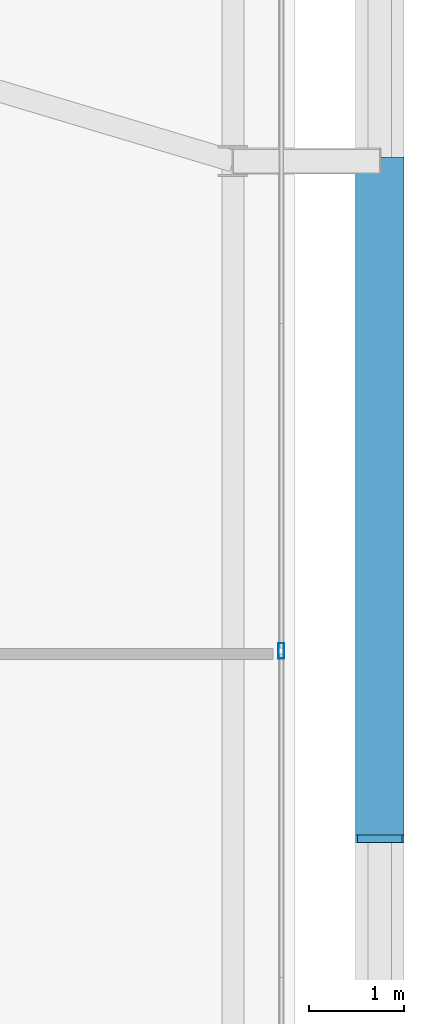
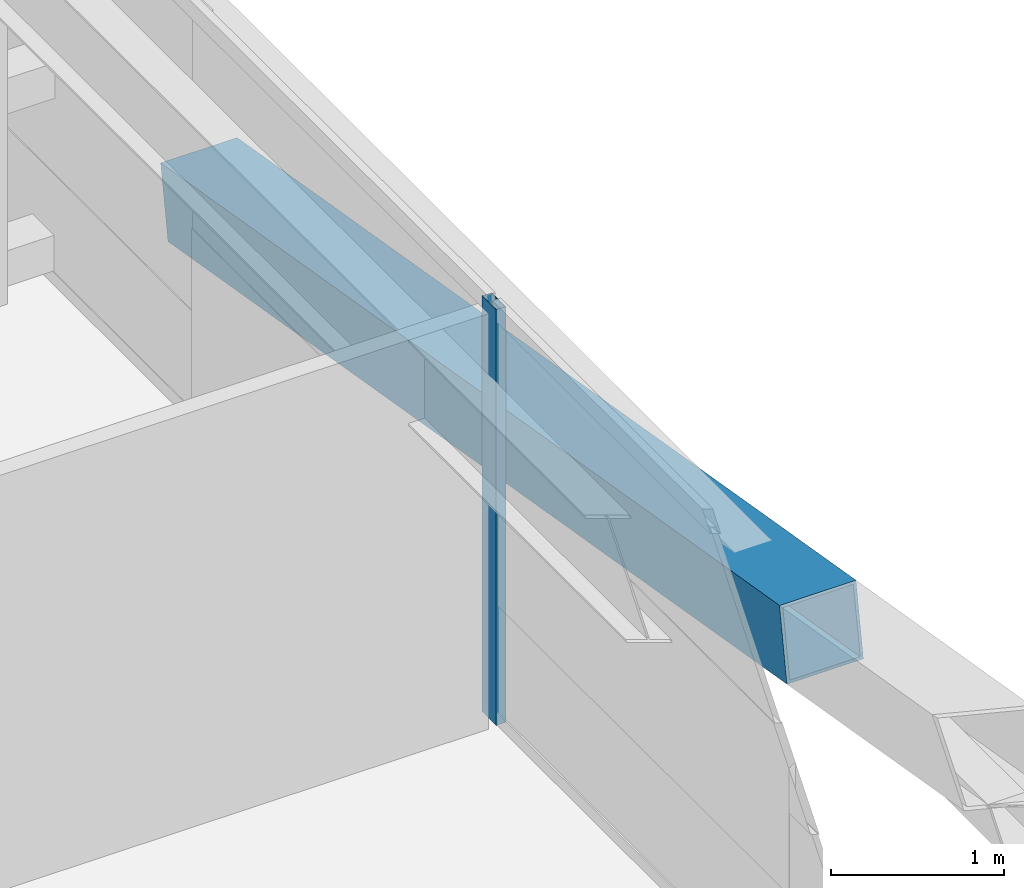
# One storey, part 17 of 44: 2 members, 1 element without a shape of its own.
"""IFC4 building model written with IfcOpenShell, lengths in metres."""

import ifcopenshell
import ifcopenshell.guid

model = None  # the IFC model being written
_history = None  # IfcOwnerHistory: only IFC2X3 demands one
_inside = {}  # id of a spatial element -> (the spatial element, [elements in it])
_under = {}  # id of a project, library or spatial element -> (it, [spatial elements below it])
_declared = {}  # id of a project -> (the project, [libraries it declares])
_typed = {}  # id of a type object -> (the type object, [elements of that type])
_made_of = {}  # id of a material, layer set ... -> (it, [elements and type objects made of it])


def new_model(schema):
    """Start an empty IFC model of exactly this schema.

    Asked for "IFC4X3", IfcOpenShell would pick the latest addendum, in which some entities
    have other attributes; the version numbers below select the first issue.
    IFC2X3 requires an IfcOwnerHistory on every rooted entity: one is made here for all.
    """
    global model, _history
    if schema == "IFC4X3":
        model = ifcopenshell.file(schema_version=(4, 3, 0, 0))
    else:
        model = ifcopenshell.file(schema=schema)
    _inside.clear()
    _under.clear()
    _declared.clear()
    _typed.clear()
    _made_of.clear()
    _history = None
    if model.schema == "IFC2X3":
        org = make("IfcOrganization", Name="unknown")
        user = make(
            "IfcPersonAndOrganization",
            ThePerson=make("IfcPerson", FamilyName="unknown"),
            TheOrganization=org,
        )
        app = make(
            "IfcApplication",
            ApplicationDeveloper=org,
            Version="unknown",
            ApplicationFullName="unknown",
            ApplicationIdentifier="unknown",
        )
        _history = make(
            "IfcOwnerHistory",
            OwningUser=user,
            OwningApplication=app,
            ChangeAction="ADDED",
            CreationDate=0,
        )
    return model


def make(cls, **values):
    """One entity of the class cls with the attributes given. An attribute that is None is left unset."""
    return model.create_entity(
        cls, **{name: value for name, value in values.items() if value is not None}
    )


def rooted(cls, **values):
    """An entity with a GlobalId (a new one), such as an element, a storey or a relation."""
    return make(cls, GlobalId=ifcopenshell.guid.new(), OwnerHistory=_history, **values)


def si_unit(unit_type, name, prefix=None):
    """IfcSIUnit, for example si_unit("LENGTHUNIT", "METRE", prefix="MILLI")."""
    return make("IfcSIUnit", UnitType=unit_type, Prefix=prefix, Name=name)


def assignment(units):
    """IfcUnitAssignment: the units of a project."""
    return None if units is None else make("IfcUnitAssignment", Units=units)


def point(xyz):
    """IfcCartesianPoint."""
    return None if xyz is None else make("IfcCartesianPoint", Coordinates=xyz)


def direction(xyz):
    """IfcDirection."""
    return None if xyz is None else make("IfcDirection", DirectionRatios=xyz)


def frame(location, z_axis=None, x_axis=None):
    """IfcAxis2Placement3D, a coordinate frame: its origin and axes. An axis left out is left unset."""
    return make(
        "IfcAxis2Placement3D",
        Location=point(location),
        Axis=direction(z_axis),
        RefDirection=direction(x_axis),
    )


def frame_2d(location, x_axis=None):
    """IfcAxis2Placement2D, a coordinate frame in the plane: its origin and x axis."""
    return make(
        "IfcAxis2Placement2D", Location=point(location), RefDirection=direction(x_axis)
    )


def origin():
    """The frame at (0, 0, 0) with its axes left unset."""
    return frame((0.0, 0.0, 0.0))


def origin_2d():
    """The frame at (0, 0) in the plane with its x axis left unset."""
    return frame_2d((0.0, 0.0))


def place(relative_to, where):
    """IfcLocalPlacement: puts the frame where relative to a parent placement (None: the world)."""
    return make(
        "IfcLocalPlacement", PlacementRelTo=relative_to, RelativePlacement=where
    )


def context(
    kind, dimensions, precision=None, world=None, true_north=None, identifier=None
):
    """IfcGeometricRepresentationContext, for example the 3D "Model" context."""
    return make(
        "IfcGeometricRepresentationContext",
        ContextIdentifier=identifier,
        ContextType=kind,
        CoordinateSpaceDimension=dimensions,
        Precision=precision,
        WorldCoordinateSystem=world,
        TrueNorth=true_north,
    )


def subcontext(parent, identifier, kind, view, scale=None):
    """IfcGeometricRepresentationSubContext, for example "Body" below "Model"."""
    return make(
        "IfcGeometricRepresentationSubContext",
        ContextIdentifier=identifier,
        ContextType=kind,
        ParentContext=parent,
        TargetScale=scale,
        TargetView=view,
    )


def project(units=None, contexts=None):
    """IfcProject with its units and contexts."""
    return rooted(
        "IfcProject",
        Name="project",
        RepresentationContexts=contexts,
        UnitsInContext=assignment(units),
    )


def spatial(cls, under=None, at=None, **own):
    """A site, building, storey or space (cls), placed at a placement, below another one or the project."""
    s = rooted(cls, ObjectPlacement=at, **own)
    if under is not None:
        _under.setdefault(under.id(), (under, []))[1].append(s)
    return s


def profile(cls, at=None, kind="AREA", **sizes):
    """A parametric profile (cls). Its sizes go by their IFC names, for example OverallWidth=200.0."""
    return make(cls, ProfileType=kind, Position=at, **sizes)


def hollow_rectangle(**sizes):
    """IfcRectangleHollowProfileDef."""
    return profile("IfcRectangleHollowProfileDef", **sizes)


def extrude(swept, where, along, depth):
    """IfcExtrudedAreaSolid: the profile swept, set in the frame where, extruded along a direction by depth."""
    return make(
        "IfcExtrudedAreaSolid",
        SweptArea=swept,
        Position=where,
        ExtrudedDirection=direction(along),
        Depth=depth,
    )


def shape(context_of_items, identifier, shape_type, items):
    """IfcShapeRepresentation: the items that make up one representation, for example the "Body"."""
    return make(
        "IfcShapeRepresentation",
        ContextOfItems=context_of_items,
        RepresentationIdentifier=identifier,
        RepresentationType=shape_type,
        Items=items,
    )


def source(mapping_origin, context_of_items, identifier, shape_type, items):
    """IfcRepresentationMap: a shape defined once, which mapped items show again and again."""
    return make(
        "IfcRepresentationMap",
        MappingOrigin=mapping_origin,
        MappedRepresentation=shape(context_of_items, identifier, shape_type, items),
    )


def transform(
    local_origin,
    x_axis=None,
    y_axis=None,
    z_axis=None,
    scale=None,
    scale2=None,
    scale3=None,
    uniform=True,
):
    """IfcCartesianTransformationOperator3D, or its non-uniform kind. x_axis, y_axis, z_axis: its Axis1, 2, 3."""
    if uniform:
        return make(
            "IfcCartesianTransformationOperator3D",
            Axis1=direction(x_axis),
            Axis2=direction(y_axis),
            LocalOrigin=point(local_origin),
            Scale=scale,
            Axis3=direction(z_axis),
        )
    return make(
        "IfcCartesianTransformationOperator3DnonUniform",
        Axis1=direction(x_axis),
        Axis2=direction(y_axis),
        LocalOrigin=point(local_origin),
        Scale=scale,
        Axis3=direction(z_axis),
        Scale2=scale2,
        Scale3=scale3,
    )


def mapped(mapping_source, mapping_target):
    """IfcMappedItem: shows the shape of a source again, moved by a transform."""
    return make(
        "IfcMappedItem", MappingSource=mapping_source, MappingTarget=mapping_target
    )


def material(Name=None, Category=None):
    """IfcMaterial."""
    return make("IfcMaterial", Name=Name, Category=Category)


def layer(
    of_material, thickness, ventilated=None, Name=None, Category=None, Priority=None
):
    """IfcMaterialLayer: one layer of a wall or slab, of a material (None: an air gap)."""
    return make(
        "IfcMaterialLayer",
        Material=of_material,
        LayerThickness=thickness,
        IsVentilated=ventilated,
        Name=Name,
        Category=Category,
        Priority=Priority,
    )


def layer_set(layers, Name=None):
    """IfcMaterialLayerSet."""
    return make("IfcMaterialLayerSet", MaterialLayers=layers, LayerSetName=Name)


def material_profile(
    of_material, cross_section, Name=None, Category=None, Priority=None
):
    """IfcMaterialProfile: a cross section and its material."""
    return make(
        "IfcMaterialProfile",
        Name=Name,
        Material=of_material,
        Profile=cross_section,
        Priority=Priority,
        Category=Category,
    )


def profile_set(profiles, Name=None, composite=None):
    """IfcMaterialProfileSet."""
    return make(
        "IfcMaterialProfileSet",
        Name=Name,
        MaterialProfiles=profiles,
        CompositeProfile=composite,
    )


def made_of(thing, what):
    """Note that an element or type object is made of a material, layer set ...; save() writes the relation."""
    if what is not None:
        _made_of.setdefault(what.id(), (what, []))[1].append(thing)
    return thing


def type_object(cls, material=None, **own):
    """A type object (cls), such as IfcWallType, which elements share."""
    return made_of(rooted(cls, **own), material)


def element(
    cls,
    number,
    at=None,
    inside=None,
    cuts=None,
    type_object=None,
    material=None,
    context=None,
    identifier="Body",
    shape_type=None,
    held_by="IfcProductDefinitionShape",
    body=None,
    shapes=None,
    **own,
):
    """One element of the class cls, such as IfcWall. Its Tag is "e" and its number.

    at: its placement. inside: the storey or other place that contains it. cuts: it is an
    opening in that element (IfcRelVoidsElement). A single representation is given by context,
    identifier, shape_type and body (its items); several are given by shapes. held_by: the class
    of the entity that holds the representations. save() writes the other relations.
    """
    e = rooted(cls, Tag="e%d" % number, ObjectPlacement=at, **own)
    if body is not None:
        shapes = [shape(context, identifier, shape_type, body)]
    if shapes is not None:
        e.Representation = make(held_by, Representations=shapes)
    if inside is not None:
        _inside.setdefault(inside.id(), (inside, []))[1].append(e)
    if cuts is not None:
        rooted(
            "IfcRelVoidsElement", RelatingBuildingElement=cuts, RelatedOpeningElement=e
        )
    if type_object is not None:
        _typed.setdefault(type_object.id(), (type_object, []))[1].append(e)
    return made_of(e, material)


def aggregate(whole, parts):
    """IfcRelAggregates: a whole, such as a stair, and the parts it consists of."""
    return rooted("IfcRelAggregates", RelatingObject=whole, RelatedObjects=parts)


def save(model, path):
    """Write the relations noted so far, then the file.

    IfcRelAggregates (storeys below a building ...), IfcRelContainedInSpatialStructure (elements
    in a storey), IfcRelDefinesByType, IfcRelAssociatesMaterial and IfcRelDeclares: one each for
    every whole, place, type object, material and project.
    """
    for whole, parts in _under.values():
        aggregate(whole, parts)
    for where, things in _inside.values():
        rooted(
            "IfcRelContainedInSpatialStructure",
            RelatedElements=things,
            RelatingStructure=where,
        )
    for kind, things in _typed.values():
        rooted("IfcRelDefinesByType", RelatedObjects=things, RelatingType=kind)
    for what, things in _made_of.values():
        rooted("IfcRelAssociatesMaterial", RelatedObjects=things, RelatingMaterial=what)
    for by, libraries in _declared.values():
        rooted("IfcRelDeclares", RelatingContext=by, RelatedDefinitions=libraries)
    model.write(path)


model = new_model("IFC4")

# Units and contexts
model_context = context("Model", 3, precision=1e-05, world=origin(), true_north=direction((0.0, 1.0)))
body_context = subcontext(model_context, "Body", "Model", "MODEL_VIEW")
ifc_project = project(units=[si_unit("LENGTHUNIT", "METRE"), si_unit("AREAUNIT", "SQUARE_METRE"), si_unit("VOLUMEUNIT", "CUBIC_METRE"), si_unit("PLANEANGLEUNIT", "RADIAN"), si_unit("MASSUNIT", "GRAM", prefix="KILO")], contexts=[model_context])

# Site, building, storey
site_placement = place(None, origin())
site = spatial("IfcSite", under=ifc_project, at=site_placement, CompositionType="ELEMENT")
building_placement = place(site_placement, origin())
building = spatial("IfcBuilding", under=site, at=building_placement, Name="Taldren Reach Tower", CompositionType="ELEMENT")
storey_placement = place(building_placement, frame((0.0, 0.0, 38.85009765625)))
storey = spatial("IfcBuildingStorey", under=building, at=storey_placement, Name="L11", CompositionType="ELEMENT", Elevation=38.85009765625)

# Member
ifc_material_1 = material(Name="Steel Gr 450 (C450L0)", Category="steel")
ifc_material_profile_1 = material_profile(ifc_material_1, hollow_rectangle(XDim=0.510009765625, YDim=0.510009765625, WallThickness=0.02001953125, at=origin_2d()), Name="510x510x20.0SHS")
ifc_profile_set_1 = profile_set([ifc_material_profile_1], Name="Steel Gr 450 (C450L0)")
member_type_1 = type_object("IfcMemberType", Name="MB-EXO508", PredefinedType="BRACE", material=ifc_profile_set_1)
shared_shape_1 = source(origin(), body_context, "Body", "SweptSolid", [
    extrude(hollow_rectangle(XDim=0.510009765625, YDim=0.510009765625, WallThickness=0.02001953125, at=origin_2d()), origin(), (0.0, 0.0, 1.0), 7.25244140625),
])
member_1_placement = place(storey_placement, frame((65.89990234375, 20.0, 0.219970703125), z_axis=(0.0, -0.985870415536, 0.167509772168), x_axis=(1.0, 0.0, 0.0)))
element("IfcMember", 1, at=member_1_placement, inside=storey, type_object=member_type_1, Name="Exoskeleton Diagrid Brace B1-E1 L11", PredefinedType="BRACE", context=body_context, shape_type="MappedRepresentation", body=[
    mapped(shared_shape_1, transform((0.0, 0.0, 0.0), scale=1.0)),
])

# Curtain wall, member
ifc_material_2 = material(Name="Aluminium and Low-E Glass Unitised System", Category="aluminium")
ifc_layer = layer(ifc_material_2, 0.159912109375)
ifc_layer_set = layer_set([ifc_layer], Name="Aluminium and Low-E Glass Unitised System")
curtain_wall_type = type_object("IfcCurtainWallType", Name="CW-SYS-2", PredefinedType="NOTDEFINED", material=ifc_layer_set)
curtain_wall_placement = place(storey_placement, origin())
curtain_wall = element("IfcCurtainWall", 2, at=curtain_wall_placement, inside=storey, type_object=curtain_wall_type, Name="Unitised curtain wall CW-L11-E", PredefinedType="NOTDEFINED")
ifc_material_3 = material(Name="Anodised Aluminium 6063-T6", Category="aluminium")
ifc_material_profile_2 = material_profile(ifc_material_3, hollow_rectangle(XDim=0.06494140625, YDim=0.1650390625, WallThickness=0.00390625, at=origin_2d()), Name="ALU-165x65x4RHS")
ifc_profile_set_2 = profile_set([ifc_material_profile_2], Name="Anodised Aluminium 6063-T6")
member_type_2 = type_object("IfcMemberType", Name="CW-MUL-165", PredefinedType="MULLION", material=ifc_profile_set_2)
shared_shape_2 = source(origin(), body_context, "Body", "SweptSolid", [
    extrude(hollow_rectangle(XDim=0.06494140625, YDim=0.1650390625, WallThickness=0.00390625, at=origin_2d()), origin(), (0.0, 0.0, 1.0), 2.929931640625),
])
member_2_placement = place(storey_placement, frame((64.860107421875, 14.833251953125, 0.0), z_axis=(0.0, 0.0, 1.0), x_axis=(-1.0, 0.0, 0.0)))
member_2 = element("IfcMember", 3, at=member_2_placement, type_object=member_type_2, Name="CW-2 mullion 2", PredefinedType="MULLION", context=body_context, shape_type="MappedRepresentation", body=[
    mapped(shared_shape_2, transform((0.0, 0.0, 0.0), scale=1.0)),
])
aggregate(curtain_wall, [member_2])

save(model, "model.ifc")
